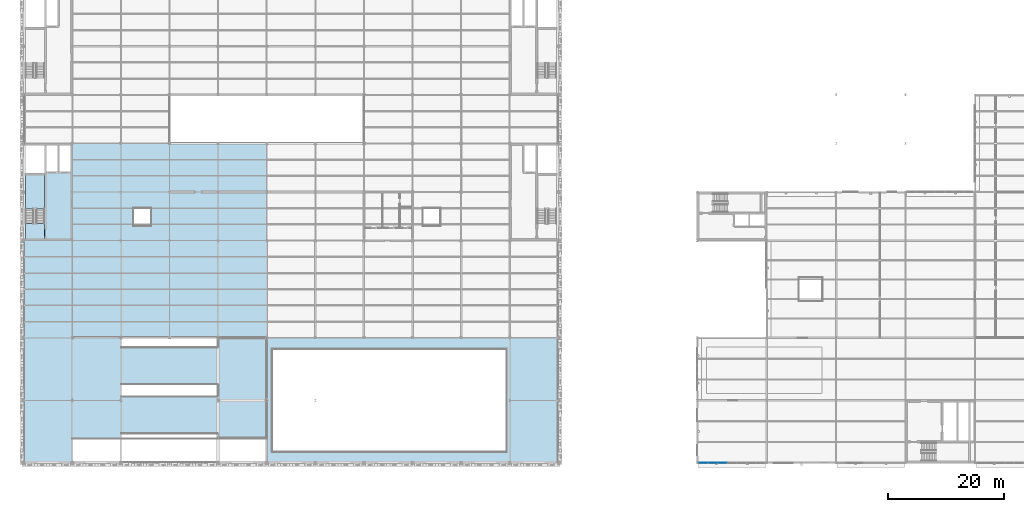
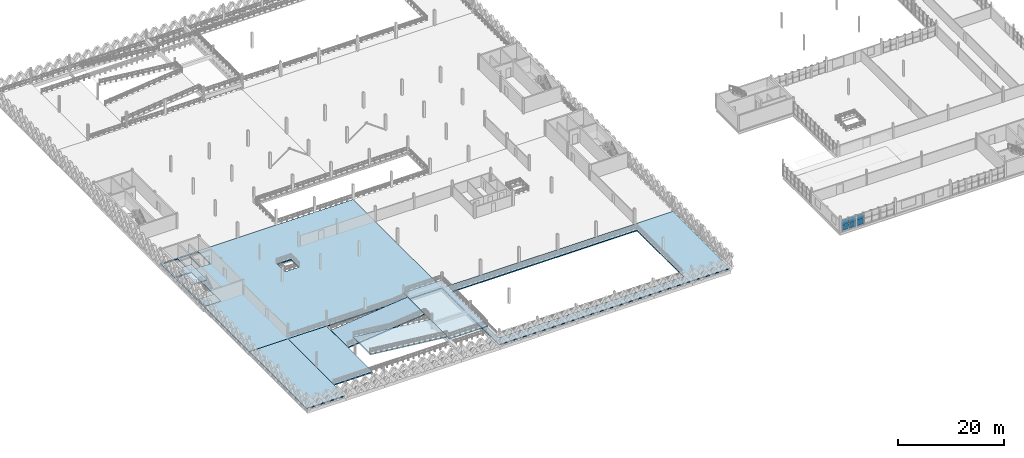
# One storey, part 48 of 79: 9 slabs, 6 plates, 2 elements without a shape of their own.
"""IFC4 building model written with IfcOpenShell, lengths in metres."""

from ifc_helpers import new_model, si_unit, direction, frame, origin, origin_2d, place, context, subcontext, project, spatial, polyline, rectangle, outline, extrude, material, layer, layer_set, type_object, element, aggregate, save


model = new_model("IFC4")

# Units and contexts
model_context = context("Model", 3, precision=1e-05, world=origin(), true_north=direction((0.0, 1.0)))
body_context = subcontext(model_context, "Body", "Model", "MODEL_VIEW")
ifc_project = project(units=[si_unit("LENGTHUNIT", "METRE"), si_unit("AREAUNIT", "SQUARE_METRE"), si_unit("VOLUMEUNIT", "CUBIC_METRE"), si_unit("PLANEANGLEUNIT", "RADIAN"), si_unit("MASSUNIT", "GRAM", prefix="KILO"), si_unit("THERMODYNAMICTEMPERATUREUNIT", "KELVIN"), si_unit("POWERUNIT", "WATT")], contexts=[model_context])

# Site, building, storey
site_placement = place(None, origin())
site = spatial("IfcSite", under=ifc_project, at=site_placement, CompositionType="ELEMENT")
building_placement = place(site_placement, origin())
building = spatial("IfcBuilding", under=site, at=building_placement, Name="Tembeka Court Mobility Hub", CompositionType="ELEMENT")
storey_placement = place(building_placement, frame((0.0, 0.0, 9.0)))
storey = spatial("IfcBuildingStorey", under=building, at=storey_placement, Name="L02", CompositionType="ELEMENT", Elevation=9.0)

# Curtain wall, plates
ifc_material_1 = material(Name="Anodised aluminium 6063-T6", Category="aluminium")
ifc_layer_1 = layer(ifc_material_1, 0.159912109375)
ifc_layer_set_1 = layer_set([ifc_layer_1], Name="Anodised aluminium 6063-T6")
curtain_wall_type = type_object("IfcCurtainWallType", Name="CW-SYS47", PredefinedType="USERDEFINED", material=ifc_layer_set_1)
curtain_wall_placement = place(storey_placement, origin())
curtain_wall = element("IfcCurtainWall", 1, at=curtain_wall_placement, inside=storey, type_object=curtain_wall_type, Name="Unitised curtain wall CW47 (CW-L02-118)", ObjectType="UNITISED GLAZING", PredefinedType="USERDEFINED")
ifc_material_2 = material(Name="Laminated solar-control low-E glass", Category="glass")
ifc_layer_2 = layer(ifc_material_2, 0.028076171875)
ifc_layer_set_2 = layer_set([ifc_layer_2], Name="Laminated solar-control low-E glass")
plate_type = type_object("IfcPlateType", Name="PL-CW01", PredefinedType="CURTAIN_PANEL", material=ifc_layer_set_2)
plate_1_placement = place(storey_placement, frame((117.50634765625, 0.0, 0.06494140625), z_axis=(0.0, 0.0, 1.0), x_axis=(1.0, 0.0, 0.0)))
plate_1 = element("IfcPlate", 2, at=plate_1_placement, type_object=plate_type, Name="CW47 panel 1.1", PredefinedType="CURTAIN_PANEL", context=body_context, shape_type="SweptSolid", body=[
    extrude(rectangle(XDim=1.5224609375, YDim=0.028076171875, at=origin_2d()), origin(), (0.0, 0.0, 1.0), 1.169921875),
])
plate_2_placement = place(storey_placement, frame((117.50634765625, 0.0, 1.300048828125), z_axis=(0.0, 0.0, 1.0), x_axis=(1.0, 0.0, 0.0)))
plate_2 = element("IfcPlate", 3, at=plate_2_placement, type_object=plate_type, Name="CW47 panel 1.2", PredefinedType="CURTAIN_PANEL", context=body_context, shape_type="SweptSolid", body=[
    extrude(rectangle(XDim=1.5224609375, YDim=0.028076171875, at=origin_2d()), origin(), (0.0, 0.0, 1.0), 1.169921875),
])
plate_3_placement = place(storey_placement, frame((119.110107421875, 0.0, 0.06494140625), z_axis=(0.0, 0.0, 1.0), x_axis=(1.0, 0.0, 0.0)))
plate_3 = element("IfcPlate", 4, at=plate_3_placement, type_object=plate_type, Name="CW47 panel 2.1", PredefinedType="CURTAIN_PANEL", context=body_context, shape_type="SweptSolid", body=[
    extrude(rectangle(XDim=1.554931640625, YDim=0.028076171875, at=origin_2d()), origin(), (0.0, 0.0, 1.0), 1.169921875),
])
plate_4_placement = place(storey_placement, frame((119.110107421875, 0.0, 1.300048828125), z_axis=(0.0, 0.0, 1.0), x_axis=(1.0, 0.0, 0.0)))
plate_4 = element("IfcPlate", 5, at=plate_4_placement, type_object=plate_type, Name="CW47 panel 2.2", PredefinedType="CURTAIN_PANEL", context=body_context, shape_type="SweptSolid", body=[
    extrude(rectangle(XDim=1.554931640625, YDim=0.028076171875, at=origin_2d()), origin(), (0.0, 0.0, 1.0), 1.169921875),
])
plate_5_placement = place(storey_placement, frame((120.7138671875, 0.0, 0.06494140625), z_axis=(0.0, 0.0, 1.0), x_axis=(1.0, 0.0, 0.0)))
plate_5 = element("IfcPlate", 6, at=plate_5_placement, type_object=plate_type, Name="CW47 panel 3.1", PredefinedType="CURTAIN_PANEL", context=body_context, shape_type="SweptSolid", body=[
    extrude(rectangle(XDim=1.5224609375, YDim=0.028076171875, at=origin_2d()), origin(), (0.0, 0.0, 1.0), 1.169921875),
])
plate_6_placement = place(storey_placement, frame((120.7138671875, 0.0, 1.300048828125), z_axis=(0.0, 0.0, 1.0), x_axis=(1.0, 0.0, 0.0)))
plate_6 = element("IfcPlate", 7, at=plate_6_placement, type_object=plate_type, Name="CW47 panel 3.2", PredefinedType="CURTAIN_PANEL", context=body_context, shape_type="SweptSolid", body=[
    extrude(rectangle(XDim=1.5224609375, YDim=0.028076171875, at=origin_2d()), origin(), (0.0, 0.0, 1.0), 1.169921875),
])
aggregate(curtain_wall, [plate_1, plate_2, plate_3, plate_4, plate_5, plate_6])

# Slabs
ifc_material_3 = material(Name="Concrete C40/50", Category="concrete")
ifc_layer_3 = layer(ifc_material_3, 0.219970703125)
ifc_layer_set_3 = layer_set([ifc_layer_3], Name="Concrete C40/50")
slab_type_1 = type_object("IfcSlabType", Name="SL-FL02", PredefinedType="FLOOR", material=ifc_layer_set_3)
slab_1_placement = place(storey_placement, frame((0.0, 0.0, -0.219970703125)))
element("IfcSlab", 8, at=slab_1_placement, inside=storey, type_object=slab_type_1, Name="L02 ramped EV parking deck (V1SW)", PredefinedType="FLOOR", context=body_context, shape_type="SweptSolid", body=[
    extrude(outline(polyline([(0.0, 21.60009765625), (42.0, 21.60009765625), (42.0, 55.199951171875), (0.0, 55.199951171875), (0.0, 21.60009765625)]), holes=[polyline([(0.300048828125, 49.75), (3.60009765625, 49.75), (3.60009765625, 38.699951171875), (0.300048828125, 38.699951171875), (0.300048828125, 49.75)]), polyline([(3.89990234375, 54.89990234375), (5.89990234375, 54.89990234375), (5.89990234375, 50.35009765625), (3.89990234375, 50.35009765625), (3.89990234375, 54.89990234375)]), polyline([(6.10009765625, 54.89990234375), (8.10009765625, 54.89990234375), (8.10009765625, 50.35009765625), (6.10009765625, 50.35009765625), (6.10009765625, 54.89990234375)]), polyline([(0.300048828125, 54.89990234375), (3.60009765625, 54.89990234375), (3.60009765625, 50.050048828125), (0.300048828125, 50.050048828125), (0.300048828125, 54.89990234375)]), polyline([(19.0, 44.0), (22.0, 44.0), (22.0, 41.0), (19.0, 41.0), (19.0, 44.0)])]), origin(), (0.0, 0.0, 1.0), 0.219970703125),
])
slab_2_placement = place(storey_placement, frame((0.0, 0.0, -0.219970703125)))
element("IfcSlab", 9, at=slab_2_placement, inside=storey, type_object=slab_type_1, Name="L02 South-West ramp perimeter deck", PredefinedType="FLOOR", context=body_context, shape_type="SweptSolid", body=[
    extrude(outline(polyline([(0.0, 0.0), (8.39990234375, 0.0), (8.39990234375, 21.60009765625), (0.0, 21.60009765625), (0.0, 0.0)])), origin(), (0.0, 0.0, 1.0), 0.219970703125),
])
slab_3_placement = place(storey_placement, frame((0.0, 0.0, -0.219970703125)))
element("IfcSlab", 10, at=slab_3_placement, inside=storey, type_object=slab_type_1, Name="L02 South-East EV deck", PredefinedType="FLOOR", context=body_context, shape_type="SweptSolid", body=[
    extrude(outline(polyline([(42.0, 0.0), (92.39990234375, 0.0), (92.39990234375, 21.60009765625), (42.0, 21.60009765625), (42.0, 0.0)]), holes=[polyline([(43.0, 19.60009765625), (83.39990234375, 19.60009765625), (83.39990234375, 2.0), (43.0, 2.0), (43.0, 19.60009765625)])]), origin(), (0.0, 0.0, 1.0), 0.219970703125),
])
ifc_layer_4 = layer(ifc_material_3, 0.199951171875)
ifc_layer_set_4 = layer_set([ifc_layer_4], Name="Concrete C40/50")
slab_type_2 = type_object("IfcSlabType", Name="SL-LD01", PredefinedType="LANDING", material=ifc_layer_set_4)
slab_4_placement = place(storey_placement, frame((0.0, 0.0, -0.25)))
element("IfcSlab", 11, at=slab_4_placement, inside=storey, type_object=slab_type_2, Name="Car park vehicle ramp South R2 L02 west landing", PredefinedType="LANDING", context=body_context, shape_type="SweptSolid", body=[
    extrude(outline(polyline([(8.39990234375, 4.199951171875), (16.800048828125, 4.199951171875), (16.800048828125, 21.60009765625), (8.39990234375, 21.60009765625), (8.39990234375, 4.199951171875)])), origin(), (0.0, 0.0, 1.0), 0.25),
])
slab_5_placement = place(storey_placement, frame((0.0, 0.0, 1.550048828125)))
element("IfcSlab", 12, at=slab_5_placement, inside=storey, type_object=slab_type_2, Name="Car park vehicle ramp South R2 L02 half landing", PredefinedType="LANDING", context=body_context, shape_type="SweptSolid", body=[
    extrude(outline(polyline([(33.60009765625, 4.199951171875), (42.0, 4.199951171875), (42.0, 21.60009765625), (33.60009765625, 21.60009765625), (33.60009765625, 4.199951171875)])), origin(), (0.0, 0.0, 1.0), 0.25),
])
slab_6_placement = place(storey_placement, frame((0.0, 0.0, -0.25)))
element("IfcSlab", 13, at=slab_6_placement, inside=storey, type_object=slab_type_2, Name="Stair ST01 L02 floor landing slab", PredefinedType="LANDING", context=body_context, shape_type="SweptSolid", body=[
    extrude(outline(polyline([(0.300048828125, 38.699951171875), (3.60009765625, 38.699951171875), (3.60009765625, 41.35009765625), (0.300048828125, 41.35009765625), (0.300048828125, 38.699951171875)])), origin(), (0.0, 0.0, 1.0), 0.25),
])

# Stair, slab
stair_type = type_object("IfcStairType", Name="STR-ST01L02", PredefinedType="HALF_TURN_STAIR", material=ifc_material_3)
stair_placement = place(storey_placement, origin())
stair = element("IfcStair", 14, at=stair_placement, inside=storey, type_object=stair_type, Name="Protected exit stair ST01 (L02)", PredefinedType="HALF_TURN_STAIR")
slab_7_placement = place(storey_placement, frame((0.0, 0.0, 1.60009765625)))
slab_7 = element("IfcSlab", 15, at=slab_7_placement, type_object=slab_type_2, Name="ST01L02 landing 1", PredefinedType="LANDING", context=body_context, shape_type="SweptSolid", body=[
    extrude(outline(polyline([(3.60009765625, 43.8701171875), (3.60009765625, 49.75), (0.300048828125, 49.75), (0.300048828125, 43.8701171875), (3.60009765625, 43.8701171875)])), origin(), (0.0, 0.0, 1.0), 0.199951171875),
])
aggregate(stair, [slab_7])

# Slabs
ifc_layer_5 = layer(ifc_material_3, 0.235107421875)
ifc_layer_set_5 = layer_set([ifc_layer_5], Name="Concrete C40/50")
slab_type_3 = type_object("IfcSlabType", Name="SL-RP01", PredefinedType="FLOOR", material=ifc_layer_set_5)
slab_8_placement = place(storey_placement, frame((16.840087890625, 13.5, 0.0), z_axis=(-0.107040081036, 0.0, 0.994254706326), x_axis=(0.994254706326, 0.0, 0.107040081036)))
element("IfcSlab", 16, at=slab_8_placement, inside=storey, type_object=slab_type_3, Name="Car park vehicle ramp South R2 L02 structural ramp slab 1", PredefinedType="FLOOR", context=body_context, shape_type="SweptSolid", body=[
    extrude(outline(polyline([(0.0, 0.0), (16.816586933649543, 0.0), (16.816586933649543, 6.5), (0.0, 6.5), (0.0, 0.0)])), origin(), (0.0, 0.0, -1.0), 0.235107421875),
])
slab_9_placement = place(storey_placement, frame((33.56005859375, 5.0, 1.800048828125), z_axis=(0.107040081036, 0.0, 0.994254706326), x_axis=(-0.994254706326, 0.0, 0.107040081036)))
element("IfcSlab", 17, at=slab_9_placement, inside=storey, type_object=slab_type_3, Name="Car park vehicle ramp South R2 L02 structural ramp slab 2", PredefinedType="FLOOR", context=body_context, shape_type="SweptSolid", body=[
    extrude(outline(polyline([(0.0, 0.0), (16.816586933649543, 0.0), (16.816586933649543, -6.5), (0.0, -6.5), (0.0, 0.0)])), origin(), (0.0, 0.0, -1.0), 0.235107421875),
])

save(model, "model.ifc")
